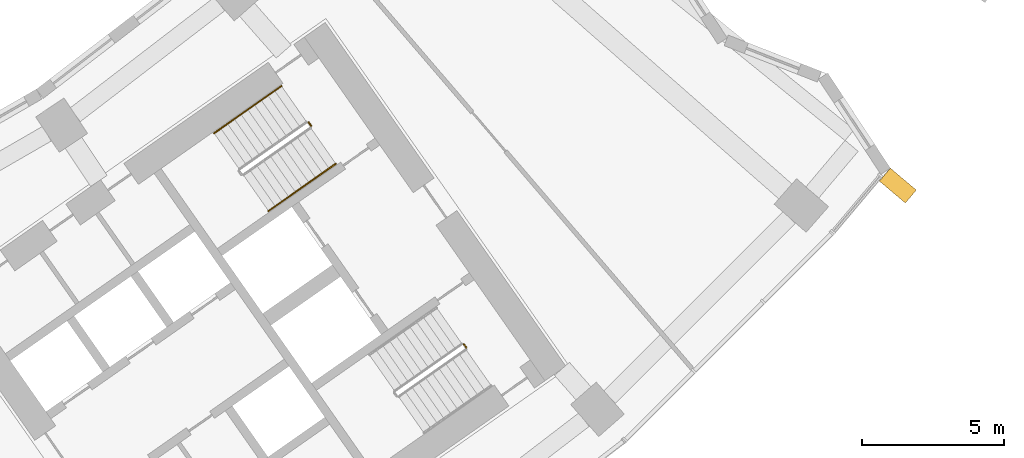
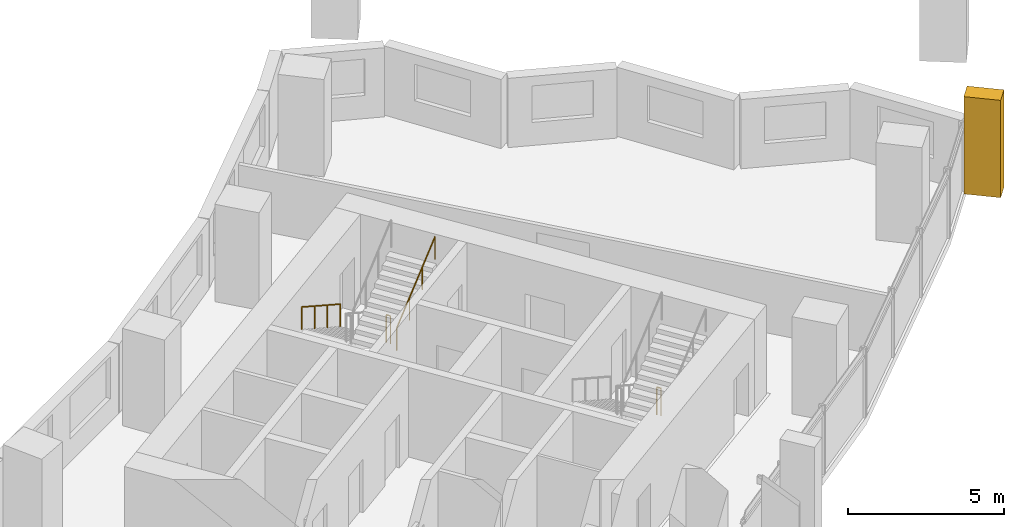
# One storey, part 30 of 30: 4 railings, 1 shading device.
"""IFC4 building model written with IfcOpenShell, lengths in metres."""

from ifc_helpers import new_model, si_unit, direction, frame, origin, origin_2d, place, context, subcontext, project, spatial, polyline, circle, outline, extrude, material, type_object, element, save


model = new_model("IFC4")

# Units and contexts
model_context = context("Model", 3, precision=1e-05, world=origin(), true_north=direction((0.0, 1.0)))
body_context = subcontext(model_context, "Body", "Model", "MODEL_VIEW")
ifc_project = project(units=[si_unit("LENGTHUNIT", "METRE"), si_unit("AREAUNIT", "SQUARE_METRE"), si_unit("VOLUMEUNIT", "CUBIC_METRE"), si_unit("PLANEANGLEUNIT", "RADIAN"), si_unit("MASSUNIT", "GRAM", prefix="KILO")], contexts=[model_context])

# Site, building, storey
site_placement = place(None, origin())
site = spatial("IfcSite", under=ifc_project, at=site_placement, CompositionType="ELEMENT")
building_placement = place(site_placement, origin())
building = spatial("IfcBuilding", under=site, at=building_placement, Name="Qamariyya Broadcast Tower", CompositionType="ELEMENT")
storey_placement = place(building_placement, frame((0.0, 0.0, 125.300048828125)))
storey = spatial("IfcBuildingStorey", under=building, at=storey_placement, Name="L28", CompositionType="ELEMENT", Elevation=125.300048828125)

# Shading device
ifc_material_1 = material(Name="Steel S355 powder coated deep red", Category="steel")
shading_device_type = type_object("IfcShadingDeviceType", Name="Deep red frame, powder coated steel box section", PredefinedType="USERDEFINED", material=ifc_material_1)
shading_device_placement = place(storey_placement, origin())
element("IfcShadingDevice", 1, at=shading_device_placement, inside=storey, type_object=shading_device_type, Name="e-frm-B2-F4-postb-L28", ObjectType="FRAME", PredefinedType="USERDEFINED", context=body_context, shape_type="SweptSolid", body=[
    extrude(outline(polyline([(61.20703125, -50.405517578125), (62.124267578125, -51.17919921875), (62.510986328125, -50.720703125), (61.59375, -49.947021484375), (61.20703125, -50.405517578125)])), origin(), (0.0, 0.0, 1.0), 3.800048828125),
])

# Railings
ifc_material_2 = material(Name="Painted steel", Category="steel")
railing_type_1 = type_object("IfcRailingType", Name="Stair guard", PredefinedType="GUARDRAIL", material=ifc_material_2)
railing_1_placement = place(storey_placement, frame((41.072998046875, -48.332275390625, 0.0)))
element("IfcRailing", 2, at=railing_1_placement, inside=storey, type_object=railing_type_1, Name="L28 ST-E2 stair guard 3", PredefinedType="GUARDRAIL", context=body_context, shape_type="SweptSolid", body=[
    extrude(circle(Radius=0.02392578125, at=origin_2d()), frame((0.0, 0.0, 1.076171875), z_axis=(0.572588637393, -0.819842821722, 0.0), x_axis=(0.819842821722, 0.572588637393, 0.0)), (0.0, 0.0, 1.0), 0.150146484375),
    extrude(circle(Radius=0.02099609375, at=origin_2d()), origin(), (0.0, 0.0, 1.0), 1.052001953125),
    extrude(circle(Radius=0.02099609375, at=origin_2d()), frame((0.0859375, -0.123046875, 0.0)), (0.0, 0.0, 1.0), 1.052001953125),
])
railing_2_placement = place(storey_placement, frame((46.550537109375, -56.1552734375, 0.0)))
element("IfcRailing", 3, at=railing_2_placement, inside=storey, type_object=railing_type_1, Name="L28 ST-E1 stair guard 3", PredefinedType="GUARDRAIL", context=body_context, shape_type="SweptSolid", body=[
    extrude(circle(Radius=0.02392578125, at=origin_2d()), frame((0.0, 0.0, 1.076171875), z_axis=(0.574444878118, -0.818543268254, 0.0), x_axis=(0.818543268254, 0.574444878118, 0.0)), (0.0, 0.0, 1.0), 0.150146484375),
    extrude(circle(Radius=0.02099609375, at=origin_2d()), origin(), (0.0, 0.0, 1.0), 1.052001953125),
    extrude(circle(Radius=0.02099609375, at=origin_2d()), frame((0.086181640625, -0.122802734375, 0.0)), (0.0, 0.0, 1.0), 1.052001953125),
])
ifc_material_3 = material(Name="Stainless steel", Category="steel")
railing_type_2 = type_object("IfcRailingType", Name="Stair handrail", PredefinedType="HANDRAIL", material=ifc_material_3)
railing_3_placement = place(storey_placement, frame((40.1142578125, -47.05029296875, 0.172607421875)))
element("IfcRailing", 4, at=railing_3_placement, inside=storey, type_object=railing_type_2, Name="L28 ST-E2 stair handrail 1", PredefinedType="HANDRAIL", context=body_context, shape_type="SweptSolid", body=[
    extrude(circle(Radius=0.02392578125, at=origin_2d()), frame((0.0, 0.0, 0.8759765625), z_axis=(-0.703745009021, -0.492838488332, 0.511715923826), x_axis=(0.573631830683, -0.819113253969, 0.0)), (0.0, 0.0, 1.0), 3.37548828125),
    extrude(circle(Radius=0.02099609375, at=origin_2d()), origin(), (0.0, 0.0, 1.0), 0.851806640625),
    extrude(circle(Radius=0.02099609375, at=origin_2d()), frame((-0.791748046875, -0.554443359375, 0.57568359375)), (0.0, 0.0, 1.0), 0.851806640625),
    extrude(circle(Radius=0.02099609375, at=origin_2d()), frame((-1.583740234375, -1.109130859375, 1.151611328125)), (0.0, 0.0, 1.0), 0.851806640625),
    extrude(circle(Radius=0.02099609375, at=origin_2d()), frame((-2.37548828125, -1.66357421875, 1.727294921875)), (0.0, 0.0, 1.0), 0.851806640625),
])
railing_4_placement = place(storey_placement, frame((39.66015625, -51.4580078125, 2.07275390625)))
element("IfcRailing", 5, at=railing_4_placement, inside=storey, type_object=railing_type_2, Name="L28 ST-E2 stair handrail 2", PredefinedType="HANDRAIL", context=body_context, shape_type="SweptSolid", body=[
    extrude(circle(Radius=0.02392578125, at=origin_2d()), frame((0.0, 0.0, 0.8759765625), z_axis=(0.703745009021, 0.492838488332, 0.511715923826), x_axis=(-0.573631830683, 0.819113253969, 0.0)), (0.0, 0.0, 1.0), 3.37548828125),
    extrude(circle(Radius=0.02099609375, at=origin_2d()), origin(), (0.0, 0.0, 1.0), 0.851806640625),
    extrude(circle(Radius=0.02099609375, at=origin_2d()), frame((0.791748046875, 0.554443359375, 0.57568359375)), (0.0, 0.0, 1.0), 0.851806640625),
    extrude(circle(Radius=0.02099609375, at=origin_2d()), frame((1.583740234375, 1.109130859375, 1.151611328125)), (0.0, 0.0, 1.0), 0.851806640625),
    extrude(circle(Radius=0.02099609375, at=origin_2d()), frame((2.37548828125, 1.66357421875, 1.727294921875)), (0.0, 0.0, 1.0), 0.851806640625),
])

save(model, "model.ifc")
